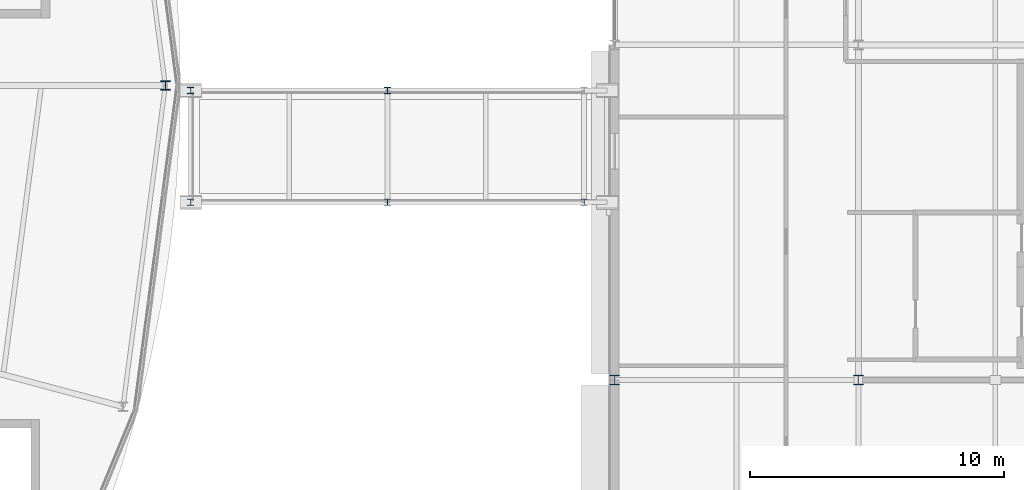
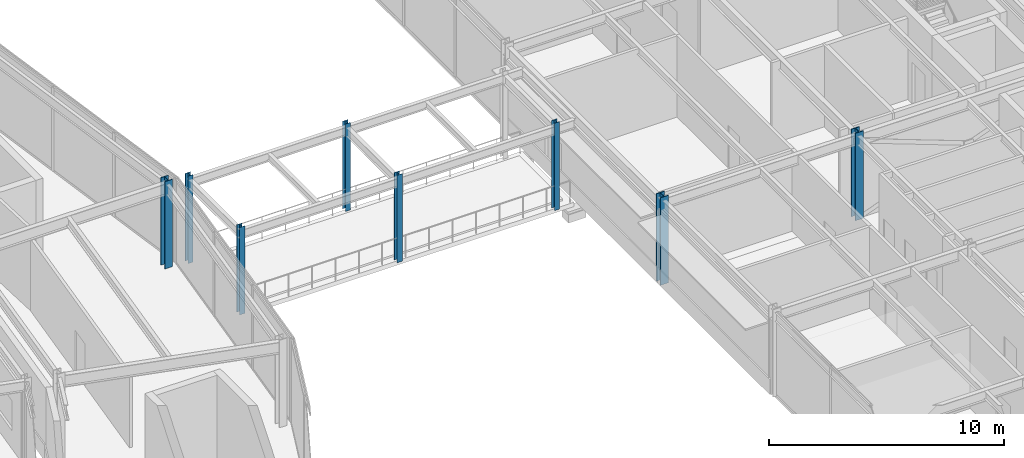
# One storey, part 18 of 157: 8 columns.
"""IFC4 building model written with IfcOpenShell, lengths in metres."""

from ifc_helpers import new_model, si_unit, direction, frame, origin, origin_2d, place, context, subcontext, project, spatial, i_section, extrude, material, material_profile, profile_set, type_object, element, save


model = new_model("IFC4")

# Units and contexts
model_context = context("Model", 3, precision=1e-05, world=origin(), true_north=direction((0.0, 1.0)))
body_context = subcontext(model_context, "Body", "Model", "MODEL_VIEW")
ifc_project = project(units=[si_unit("LENGTHUNIT", "METRE"), si_unit("AREAUNIT", "SQUARE_METRE"), si_unit("VOLUMEUNIT", "CUBIC_METRE"), si_unit("PLANEANGLEUNIT", "RADIAN"), si_unit("MASSUNIT", "GRAM", prefix="KILO")], contexts=[model_context])

# Site, building, storey
site_placement = place(None, origin())
site = spatial("IfcSite", under=ifc_project, at=site_placement, CompositionType="ELEMENT")
building_placement = place(site_placement, origin())
building = spatial("IfcBuilding", under=site, at=building_placement, Name="Almandine Court Research Institute", CompositionType="ELEMENT")
storey_placement = place(building_placement, frame((0.0, 0.0, 5.25)))
storey = spatial("IfcBuildingStorey", under=building, at=storey_placement, Name="L01", CompositionType="ELEMENT", Elevation=5.25)

# Columns
ifc_material = material(Name="Steel ASTM A992 Grade 50", Category="steel")
ifc_material_profile_1 = material_profile(ifc_material, i_section(OverallWidth=0.39794921875, OverallDepth=0.386962890625, WebThickness=0.02392578125, FlangeThickness=0.0390625, at=origin_2d()), Name="W360x262")
ifc_profile_set_1 = profile_set([ifc_material_profile_1], Name="Steel ASTM A992 Grade 50")
column_type_1 = type_object("IfcColumnType", Name="Col-C-W01", PredefinedType="COLUMN", material=ifc_profile_set_1)
for number, where, z_axis, x_axis, name in (
    (1, (153.60009765625, 44.39990234375, 0.0), (0.0, 0.0, 1.0), (1.0, 0.0, 0.0), "L01 V4 Column V4-X2Y5"),
    (2, (163.199951171875, 44.39990234375, 0.0), (0.0, 0.0, 1.0), (1.0, 0.0, 0.0), "L01 V4 Column V4-X3Y5"),
):
    element("IfcColumn", number, at=place(storey_placement, frame(where, z_axis=z_axis, x_axis=x_axis)), inside=storey, type_object=column_type_1, Name=name, PredefinedType="COLUMN", context=body_context, shape_type="SweptSolid", body=[
        extrude(i_section(OverallWidth=0.39794921875, OverallDepth=0.386962890625, WebThickness=0.02392578125, FlangeThickness=0.0390625, at=origin_2d()), origin(), (0.0, 0.0, 1.0), 4.550048828125),
    ])
ifc_material_profile_2 = material_profile(ifc_material, i_section(OverallWidth=0.373046875, OverallDepth=0.367919921875, WebThickness=0.01708984375, FlangeThickness=0.027099609375, at=origin_2d()), Name="W360x179")
ifc_profile_set_2 = profile_set([ifc_material_profile_2], Name="Steel ASTM A992 Grade 50")
column_type_2 = type_object("IfcColumnType", Name="Col-C-W03-E", PredefinedType="COLUMN", material=ifc_profile_set_2)
column_placement = place(storey_placement, frame((135.89990234375, 56.0, 0.0), z_axis=(0.0, 0.0, 1.0), x_axis=(1.0, 0.0, 0.0)))
element("IfcColumn", 3, at=column_placement, inside=storey, type_object=column_type_2, Name="L01 V5 Column V5-OUT-S00", PredefinedType="COLUMN", context=body_context, shape_type="SweptSolid", body=[
    extrude(i_section(OverallWidth=0.373046875, OverallDepth=0.367919921875, WebThickness=0.01708984375, FlangeThickness=0.027099609375, at=origin_2d()), origin(), (0.0, 0.0, 1.0), 4.550048828125),
])
ifc_material_profile_3 = material_profile(ifc_material, i_section(OverallWidth=0.25390625, OverallDepth=0.2529296875, WebThickness=0.009033203125, FlangeThickness=0.013916015625, at=origin_2d()), Name="W250x73")
ifc_profile_set_3 = profile_set([ifc_material_profile_3], Name="Steel ASTM A992 Grade 50")
column_type_3 = type_object("IfcColumnType", Name="Col-C-W10-E", PredefinedType="COLUMN", material=ifc_profile_set_3)
for number, where, z_axis, x_axis, name in (
    (4, (136.89990234375, 51.39990234375, 0.0), (0.0, 0.0, 1.0), (1.0, 0.0, 0.0), "L01 DAL-E Column DAL-E-X1Y1"),
    (5, (136.89990234375, 55.800048828125, 0.0), (0.0, 0.0, 1.0), (1.0, 0.0, 0.0), "L01 DAL-E Column DAL-E-X1Y2"),
    (6, (144.64990234375, 51.39990234375, 0.0), (0.0, 0.0, 1.0), (1.0, 0.0, 0.0), "L01 DAL-E Column DAL-E-X2Y1"),
    (7, (144.64990234375, 55.800048828125, 0.0), (0.0, 0.0, 1.0), (1.0, 0.0, 0.0), "L01 DAL-E Column DAL-E-X2Y2"),
    (8, (152.39990234375, 51.39990234375, 0.0), (0.0, 0.0, 1.0), (1.0, 0.0, 0.0), "L01 DAL-E Column DAL-E-X3Y1"),
):
    element("IfcColumn", number, at=place(storey_placement, frame(where, z_axis=z_axis, x_axis=x_axis)), inside=storey, type_object=column_type_3, Name=name, PredefinedType="COLUMN", context=body_context, shape_type="SweptSolid", body=[
        extrude(i_section(OverallWidth=0.25390625, OverallDepth=0.2529296875, WebThickness=0.009033203125, FlangeThickness=0.013916015625, at=origin_2d()), origin(), (0.0, 0.0, 1.0), 4.550048828125),
    ])

save(model, "model.ifc")
